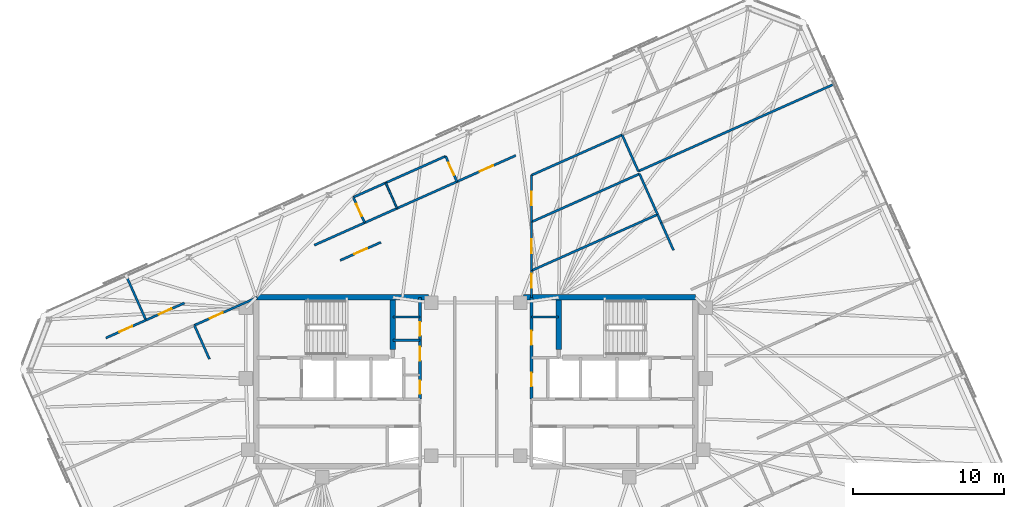
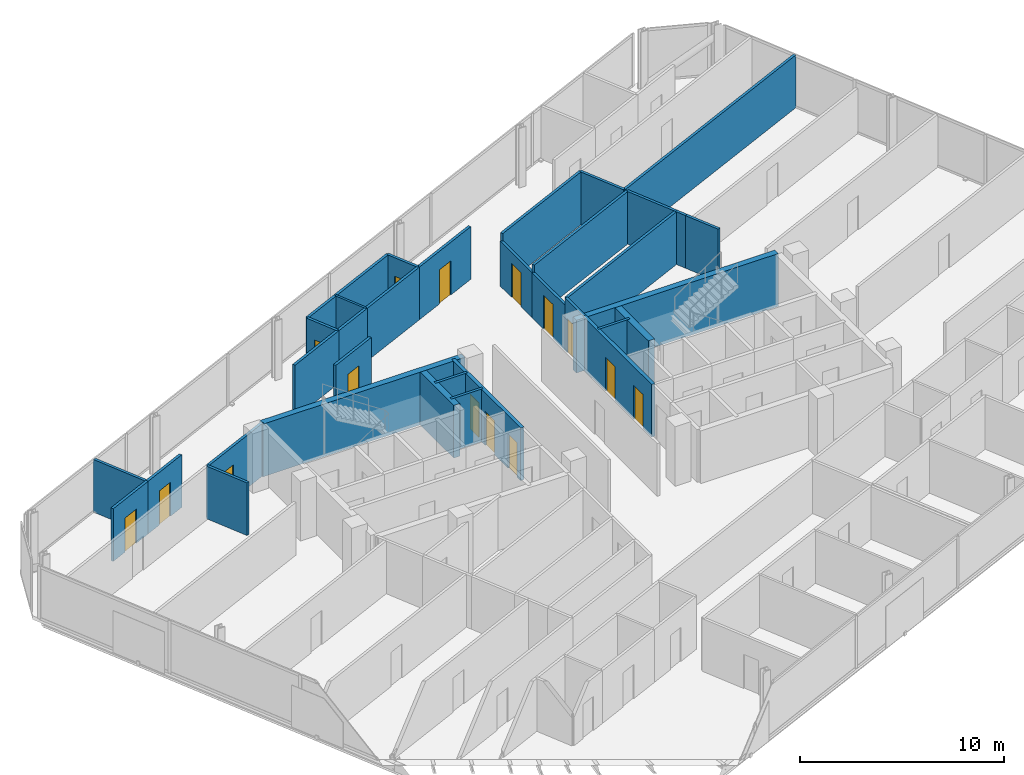
# One storey, part 16 of 19: 35 walls, 15 doors, 15 openings.
"""IFC4 building model written with IfcOpenShell, lengths in metres."""

from ifc_helpers import new_model, si_unit, direction, frame, frame_2d, origin, place, context, subcontext, project, spatial, rectangle, extrude, material, layer, layer_set, type_object, element, fill, save


model = new_model("IFC4")

# Units and contexts
model_context = context("Model", 3, precision=1e-05, world=origin(), true_north=direction((0.0, 1.0)))
body_context = subcontext(model_context, "Body", "Model", "MODEL_VIEW")
ifc_project = project(units=[si_unit("LENGTHUNIT", "METRE"), si_unit("AREAUNIT", "SQUARE_METRE"), si_unit("VOLUMEUNIT", "CUBIC_METRE"), si_unit("PLANEANGLEUNIT", "RADIAN"), si_unit("MASSUNIT", "GRAM", prefix="KILO")], contexts=[model_context])

# Site, building, storey
site_placement = place(None, origin())
site = spatial("IfcSite", under=ifc_project, at=site_placement, CompositionType="ELEMENT")
building_placement = place(site_placement, origin())
building = spatial("IfcBuilding", under=site, at=building_placement, Name="Menara Jurai Vektor", CompositionType="ELEMENT")
storey_placement = place(building_placement, frame((0.0, 0.0, 302.0)))
storey = spatial("IfcBuildingStorey", under=building, at=storey_placement, Name="L81", CompositionType="ELEMENT", Elevation=302.0)

# Walls
ifc_material_1 = material(Name="Gypsum Fireboard Partition", Category="gypsum")
ifc_layer_1 = layer(ifc_material_1, 0.14990234375)
ifc_layer_set_1 = layer_set([ifc_layer_1], Name="Gypsum Fireboard Partition")
wall_type_1 = type_object("IfcWallType", Name="INT-WALL-CORR-150", PredefinedType="PARTITIONING", material=ifc_layer_set_1)
for number, where, z_axis, x_axis, name in (
    (1, (-5.5, 4.300048828125, 0.0), (0.0, 0.0, 1.0), (1.0, 0.0, 0.0), "Interior Wall IW-150 L81"),
    (2, (-5.5, 2.75, 0.0), (0.0, 0.0, 1.0), (1.0, 0.0, 0.0), "Interior Wall IW-150 L81"),
    (3, (3.699951171875, 4.300048828125, 0.0), (0.0, 0.0, 1.0), (1.0, 0.0, 0.0), "Interior Wall IW-150 L81"),
):
    element("IfcWall", number, at=place(storey_placement, frame(where, z_axis=z_axis, x_axis=x_axis)), inside=storey, type_object=wall_type_1, Name=name, PredefinedType="PARTITIONING", context=body_context, shape_type="SweptSolid", body=[
        extrude(rectangle(XDim=1.800048828125, YDim=0.14990234375, at=frame_2d((0.89990234375, 0.0))), origin(), (0.0, 0.0, 1.0), 3.14501953125),
    ])
wall_1_placement = place(storey_placement, frame((-10.703369140625, 9.0634765625, 0.0), z_axis=(0.0, 0.0, 1.0), x_axis=(0.913543802, 0.40674036169, 0.0)))
element("IfcWall", 4, at=wall_1_placement, inside=storey, type_object=wall_type_1, Name="Interior Wall IW-150 L81", PredefinedType="PARTITIONING", context=body_context, shape_type="SweptSolid", body=[
    extrude(rectangle(XDim=3.650146484375, YDim=0.14990234375, at=frame_2d((1.8251953125, 0.0))), origin(), (0.0, 0.0, 1.0), 3.14501953125),
])

# Wall, opening, door
wall_2_placement = place(storey_placement, frame((-1.248291015625, 13.273193359375, 0.0), z_axis=(0.0, 0.0, 1.0), x_axis=(0.913549402293, 0.40672778313, 0.0)))
wall_2 = element("IfcWall", 5, at=wall_2_placement, inside=storey, type_object=wall_type_1, Name="Interior Wall IW-150 L81", PredefinedType="PARTITIONING", context=body_context, shape_type="SweptSolid", body=[
    extrude(rectangle(XDim=4.26611328125, YDim=0.14990234375, at=frame_2d((2.133056640625, 0.0))), origin(), (0.0, 0.0, 1.0), 3.14501953125),
])
opening_1_placement = place(wall_2_placement, frame((1.657958984375, 0.0, 0.0)))
opening_1 = element("IfcOpeningElement", 6, at=opening_1_placement, cuts=wall_2, Name="Opening D81-10", PredefinedType="OPENING", context=body_context, shape_type="SweptSolid", body=[
    extrude(rectangle(XDim=0.949951171875, YDim=2.0400390625, at=frame_2d((0.47509765625, 1.02001953125))), frame((0.0, 0.0849609375, 0.0), z_axis=(0.0, -1.0, 0.0), x_axis=(1.0, 0.0, 0.0)), (0.0, 0.0, 1.0), 0.169921875),
])
ifc_material_2 = material(Name="Solid Core Timber Fire Door", Category="wood")
door_type_1 = type_object("IfcDoorType", Name="DR-ENTRY-950", OperationType="NOTDEFINED", PredefinedType="DOOR", material=ifc_material_2)
door_1_placement = place(opening_1_placement, origin())
door_1 = element("IfcDoor", 7, at=door_1_placement, inside=storey, type_object=door_type_1, Name="Interior Door D81-10", OperationType="SINGLE_SWING_RIGHT", OverallHeight=2.0400390625, OverallWidth=0.949951171875, PredefinedType="DOOR", context=body_context, shape_type="SweptSolid", body=[
    extrude(rectangle(XDim=0.949951171875, YDim=2.0400390625, at=frame_2d((0.47509765625, 1.02001953125))), frame((0.0, 0.02490234375, 0.0), z_axis=(0.0, -1.0, 0.0), x_axis=(1.0, 0.0, 0.0)), (0.0, 0.0, 1.0), 0.050048828125),
])
fill(opening_1, door_1)

# Walls
wall_3_placement = place(storey_placement, frame((-7.368896484375, 10.548095703125, 0.0), z_axis=(0.0, 0.0, 1.0), x_axis=(0.913541436194, 0.406745675276, 0.0)))
element("IfcWall", 8, at=wall_3_placement, inside=storey, type_object=wall_type_1, Name="Interior Wall IW-150 L81", PredefinedType="PARTITIONING", context=body_context, shape_type="SweptSolid", body=[
    extrude(rectangle(XDim=2.349853515625, YDim=0.14990234375, at=frame_2d((1.1748046875, 0.0))), origin(), (0.0, 0.0, 1.0), 3.14501953125),
])
wall_4_placement = place(storey_placement, frame((-5.22216796875, 11.50390625, 0.0), z_axis=(0.0, 0.0, 1.0), x_axis=(0.913545193015, 0.406737237438, 0.0)))
element("IfcWall", 9, at=wall_4_placement, inside=storey, type_object=wall_type_1, Name="Interior Wall IW-150 L81", PredefinedType="PARTITIONING", context=body_context, shape_type="SweptSolid", body=[
    extrude(rectangle(XDim=4.349853515625, YDim=0.14990234375, at=frame_2d((2.1748046875, 0.0))), origin(), (0.0, 0.0, 1.0), 3.14501953125),
])

# Wall, opening, door
wall_5_placement = place(storey_placement, frame((-24.531005859375, 2.906982421875, 0.0), z_axis=(0.0, 0.0, 1.0), x_axis=(0.913531130744, 0.406768820292, 0.0)))
wall_5 = element("IfcWall", 10, at=wall_5_placement, inside=storey, type_object=wall_type_1, Name="Interior Wall IW-150 L81", PredefinedType="PARTITIONING", context=body_context, shape_type="SweptSolid", body=[
    extrude(rectangle(XDim=2.910400390625, YDim=0.14990234375, at=frame_2d((1.455078125, 0.0))), origin(), (0.0, 0.0, 1.0), 3.14501953125),
])
opening_2_placement = place(wall_5_placement, frame((0.9951171875, 0.0, 0.0)))
opening_2 = element("IfcOpeningElement", 11, at=opening_2_placement, cuts=wall_5, Name="Opening D81-31", PredefinedType="OPENING", context=body_context, shape_type="SweptSolid", body=[
    extrude(rectangle(XDim=0.919921875, YDim=2.0400390625, at=frame_2d((0.4599609375, 1.02001953125))), frame((0.0, 0.0849609375, 0.0), z_axis=(0.0, -1.0, 0.0), x_axis=(1.0, 0.0, 0.0)), (0.0, 0.0, 1.0), 0.169921875),
])
door_2_placement = place(opening_2_placement, origin())
door_2 = element("IfcDoor", 12, at=door_2_placement, inside=storey, type_object=door_type_1, Name="Interior Door D81-31", OperationType="SINGLE_SWING_LEFT", OverallHeight=2.0400390625, OverallWidth=0.919921875, PredefinedType="DOOR", context=body_context, shape_type="SweptSolid", body=[
    extrude(rectangle(XDim=0.919921875, YDim=2.0400390625, at=frame_2d((0.4599609375, 1.02001953125))), frame((0.0, 0.02490234375, 0.0), z_axis=(0.0, -1.0, 0.0), x_axis=(1.0, 0.0, 0.0)), (0.0, 0.0, 1.0), 0.050048828125),
])
fill(opening_2, door_2)

wall_6_placement = place(storey_placement, frame((-21.872314453125, 4.0908203125, 0.0), z_axis=(0.0, 0.0, 1.0), x_axis=(0.913559116966, 0.406705962346, 0.0)))
wall_6 = element("IfcWall", 13, at=wall_6_placement, inside=storey, type_object=wall_type_1, Name="Interior Wall IW-150 L81", PredefinedType="PARTITIONING", context=body_context, shape_type="SweptSolid", body=[
    extrude(rectangle(XDim=2.793701171875, YDim=0.14990234375, at=frame_2d((1.39697265625, 0.0))), origin(), (0.0, 0.0, 1.0), 3.14501953125),
])
opening_3_placement = place(wall_6_placement, frame((0.93701171875, 0.0, 0.0)))
opening_3 = element("IfcOpeningElement", 14, at=opening_3_placement, cuts=wall_6, Name="Opening D81-32", PredefinedType="OPENING", context=body_context, shape_type="SweptSolid", body=[
    extrude(rectangle(XDim=0.919921875, YDim=2.0400390625, at=frame_2d((0.4599609375, 1.02001953125))), frame((0.0, 0.0849609375, 0.0), z_axis=(0.0, -1.0, 0.0), x_axis=(1.0, 0.0, 0.0)), (0.0, 0.0, 1.0), 0.169921875),
])
door_3_placement = place(opening_3_placement, origin())
door_3 = element("IfcDoor", 15, at=door_3_placement, inside=storey, type_object=door_type_1, Name="Interior Door D81-32", OperationType="SINGLE_SWING_RIGHT", OverallHeight=2.0400390625, OverallWidth=0.919921875, PredefinedType="DOOR", context=body_context, shape_type="SweptSolid", body=[
    extrude(rectangle(XDim=0.919921875, YDim=2.0400390625, at=frame_2d((0.4599609375, 1.02001953125))), frame((0.0, 0.02490234375, 0.0), z_axis=(0.0, -1.0, 0.0), x_axis=(1.0, 0.0, 0.0)), (0.0, 0.0, 1.0), 0.050048828125),
])
fill(opening_3, door_3)

wall_7_placement = place(storey_placement, frame((3.7001953125, 5.6005859375, 0.0), z_axis=(0.0, 0.0, 1.0), x_axis=(0.0, 1.0, 0.0)))
wall_7 = element("IfcWall", 16, at=wall_7_placement, inside=storey, type_object=wall_type_1, Name="Interior Wall IW-150 L81", PredefinedType="PARTITIONING", context=body_context, shape_type="SweptSolid", body=[
    extrude(rectangle(XDim=1.775390625, YDim=0.14990234375, at=frame_2d((0.8876953125, 0.0))), origin(), (0.0, 0.0, 1.0), 3.14501953125),
])
opening_4_placement = place(wall_7_placement, frame((0.635498046875, 0.0, 0.0)))
opening_4 = element("IfcOpeningElement", 17, at=opening_4_placement, cuts=wall_7, Name="Opening D81-38", PredefinedType="OPENING", context=body_context, shape_type="SweptSolid", body=[
    extrude(rectangle(XDim=0.919921875, YDim=2.0400390625, at=frame_2d((0.4599609375, 1.02001953125))), frame((0.0, 0.0849609375, 0.0), z_axis=(0.0, -1.0, 0.0), x_axis=(1.0, 0.0, 0.0)), (0.0, 0.0, 1.0), 0.169921875),
])
door_4_placement = place(opening_4_placement, origin())
door_4 = element("IfcDoor", 18, at=door_4_placement, inside=storey, type_object=door_type_1, Name="Interior Door D81-38", OperationType="SINGLE_SWING_RIGHT", OverallHeight=2.0400390625, OverallWidth=0.919921875, PredefinedType="DOOR", context=body_context, shape_type="SweptSolid", body=[
    extrude(rectangle(XDim=0.919921875, YDim=2.0400390625, at=frame_2d((0.4599609375, 1.02001953125))), frame((0.0, 0.02490234375, 0.0), z_axis=(0.0, -1.0, 0.0), x_axis=(1.0, 0.0, 0.0)), (0.0, 0.0, 1.0), 0.050048828125),
])
fill(opening_4, door_4)

# Wall
wall_8_placement = place(storey_placement, frame((3.69970703125, 13.702880859375, 0.0), z_axis=(0.0, 0.0, 1.0), x_axis=(0.913549363376, 0.406727870542, 0.0)))
element("IfcWall", 19, at=wall_8_placement, inside=storey, type_object=wall_type_1, Name="Interior Wall IW-150 L81", PredefinedType="PARTITIONING", context=body_context, shape_type="SweptSolid", body=[
    extrude(rectangle(XDim=6.571044921875, YDim=0.14990234375, at=frame_2d((3.28564453125, 0.0))), origin(), (0.0, 0.0, 1.0), 3.14501953125),
])

# Wall, opening, door
wall_9_placement = place(storey_placement, frame((-18.6611328125, 3.7470703125, 0.0), z_axis=(0.0, 0.0, 1.0), x_axis=(0.913535055583, 0.40676000568, 0.0)))
wall_9 = element("IfcWall", 20, at=wall_9_placement, inside=storey, type_object=wall_type_1, Name="Interior Wall IW-150 L81", PredefinedType="PARTITIONING", context=body_context, shape_type="SweptSolid", body=[
    extrude(rectangle(XDim=4.554931640625, YDim=0.14990234375, at=frame_2d((2.27734375, 0.0))), origin(), (0.0, 0.0, 1.0), 3.14501953125),
])
opening_5_placement = place(wall_9_placement, frame((1.13427734375, 0.0, 0.0)))
opening_5 = element("IfcOpeningElement", 21, at=opening_5_placement, cuts=wall_9, Name="Opening D81-41", PredefinedType="OPENING", context=body_context, shape_type="SweptSolid", body=[
    extrude(rectangle(XDim=0.919921875, YDim=2.0400390625, at=frame_2d((0.4599609375, 1.02001953125))), frame((0.0, 0.0849609375, 0.0), z_axis=(0.0, -1.0, 0.0), x_axis=(1.0, 0.0, 0.0)), (0.0, 0.0, 1.0), 0.169921875),
])
door_5_placement = place(opening_5_placement, origin())
door_5 = element("IfcDoor", 22, at=door_5_placement, inside=storey, type_object=door_type_1, Name="Interior Door D81-41", OperationType="SINGLE_SWING_LEFT", OverallHeight=2.0400390625, OverallWidth=0.919921875, PredefinedType="DOOR", context=body_context, shape_type="SweptSolid", body=[
    extrude(rectangle(XDim=0.919921875, YDim=2.0400390625, at=frame_2d((0.4599609375, 1.02001953125))), frame((0.0, 0.02490234375, 0.0), z_axis=(0.0, -1.0, 0.0), x_axis=(1.0, 0.0, 0.0)), (0.0, 0.0, 1.0), 0.050048828125),
])
fill(opening_5, door_5)

wall_10_placement = place(storey_placement, frame((-8.9921875, 8.052001953125, 0.0), z_axis=(0.0, 0.0, 1.0), x_axis=(0.913535467925, 0.406759079607, 0.0)))
wall_10 = element("IfcWall", 23, at=wall_10_placement, inside=storey, type_object=wall_type_1, Name="Interior Wall IW-150 L81", PredefinedType="PARTITIONING", context=body_context, shape_type="SweptSolid", body=[
    extrude(rectangle(XDim=2.9560546875, YDim=0.14990234375, at=frame_2d((1.47802734375, 0.0))), origin(), (0.0, 0.0, 1.0), 3.14501953125),
])
opening_6_placement = place(wall_10_placement, frame((1.01806640625, 0.0, 0.0)))
opening_6 = element("IfcOpeningElement", 24, at=opening_6_placement, cuts=wall_10, Name="Opening D81-42", PredefinedType="OPENING", context=body_context, shape_type="SweptSolid", body=[
    extrude(rectangle(XDim=0.919921875, YDim=2.0400390625, at=frame_2d((0.4599609375, 1.02001953125))), frame((0.0, 0.0849609375, 0.0), z_axis=(0.0, -1.0, 0.0), x_axis=(1.0, 0.0, 0.0)), (0.0, 0.0, 1.0), 0.169921875),
])
door_6_placement = place(opening_6_placement, origin())
door_6 = element("IfcDoor", 25, at=door_6_placement, inside=storey, type_object=door_type_1, Name="Interior Door D81-42", OperationType="SINGLE_SWING_RIGHT", OverallHeight=2.0400390625, OverallWidth=0.919921875, PredefinedType="DOOR", context=body_context, shape_type="SweptSolid", body=[
    extrude(rectangle(XDim=0.919921875, YDim=2.0400390625, at=frame_2d((0.4599609375, 1.02001953125))), frame((0.0, 0.02490234375, 0.0), z_axis=(0.0, -1.0, 0.0), x_axis=(1.0, 0.0, 0.0)), (0.0, 0.0, 1.0), 0.050048828125),
])
fill(opening_6, door_6)

wall_11_placement = place(storey_placement, frame((-7.368896484375, 10.548095703125, 0.0), z_axis=(0.0, 0.0, 1.0), x_axis=(-0.406860767979, 0.913490183571, 0.0)))
wall_11 = element("IfcWall", 26, at=wall_11_placement, inside=storey, type_object=wall_type_1, Name="Interior Wall IW-150 L81", PredefinedType="PARTITIONING", context=body_context, shape_type="SweptSolid", body=[
    extrude(rectangle(XDim=1.85009765625, YDim=0.14990234375, at=frame_2d((0.925048828125, 0.0))), origin(), (0.0, 0.0, 1.0), 3.14501953125),
])
opening_7_placement = place(wall_11_placement, frame((0.485107421875, 0.0, 0.0)))
opening_7 = element("IfcOpeningElement", 27, at=opening_7_placement, cuts=wall_11, Name="Opening D81-11", PredefinedType="OPENING", context=body_context, shape_type="SweptSolid", body=[
    extrude(rectangle(XDim=0.8798828125, YDim=2.0400390625, at=frame_2d((0.43994140625, 1.02001953125))), frame((0.0, 0.0849609375, 0.0), z_axis=(0.0, -1.0, 0.0), x_axis=(1.0, 0.0, 0.0)), (0.0, 0.0, 1.0), 0.169921875),
])
ifc_material_3 = material(Name="Moisture-Resistant Timber Door", Category="wood")
door_type_2 = type_object("IfcDoorType", Name="DR-BATH-880", OperationType="NOTDEFINED", PredefinedType="DOOR", material=ifc_material_3)
door_7_placement = place(opening_7_placement, origin())
door_7 = element("IfcDoor", 28, at=door_7_placement, inside=storey, type_object=door_type_2, Name="Interior Door D81-11", OperationType="SINGLE_SWING_LEFT", OverallHeight=2.0400390625, OverallWidth=0.8798828125, PredefinedType="DOOR", context=body_context, shape_type="SweptSolid", body=[
    extrude(rectangle(XDim=0.8798828125, YDim=2.0400390625, at=frame_2d((0.43994140625, 1.02001953125))), frame((0.0, 0.02490234375, 0.0), z_axis=(0.0, -1.0, 0.0), x_axis=(1.0, 0.0, 0.0)), (0.0, 0.0, 1.0), 0.050048828125),
])
fill(opening_7, door_7)

# Walls
wall_12_placement = place(storey_placement, frame((-8.12158203125, 12.238037109375, 0.0), z_axis=(0.0, 0.0, 1.0), x_axis=(0.913558622212, 0.406707073682, 0.0)))
element("IfcWall", 29, at=wall_12_placement, inside=storey, type_object=wall_type_1, Name="Interior Wall IW-150 L81", PredefinedType="PARTITIONING", context=body_context, shape_type="SweptSolid", body=[
    extrude(rectangle(XDim=2.35009765625, YDim=0.14990234375, at=frame_2d((1.175048828125, 0.0))), origin(), (0.0, 0.0, 1.0), 3.14501953125),
])
wall_13_placement = place(storey_placement, frame((-5.974609375, 13.19384765625, 0.0), z_axis=(0.0, 0.0, 1.0), x_axis=(0.913545193015, 0.406737237438, 0.0)))
element("IfcWall", 30, at=wall_13_placement, inside=storey, type_object=wall_type_1, Name="Interior Wall IW-150 L81", PredefinedType="PARTITIONING", context=body_context, shape_type="SweptSolid", body=[
    extrude(rectangle(XDim=4.349853515625, YDim=0.14990234375, at=frame_2d((2.1748046875, 0.0))), origin(), (0.0, 0.0, 1.0), 3.14501953125),
])

# Wall, opening, door
wall_14_placement = place(storey_placement, frame((-1.248291015625, 13.273193359375, 0.0), z_axis=(0.0, 0.0, 1.0), x_axis=(-0.406750635596, 0.913539227643, 0.0)))
wall_14 = element("IfcWall", 31, at=wall_14_placement, inside=storey, type_object=wall_type_1, Name="Interior Wall IW-150 L81", PredefinedType="PARTITIONING", context=body_context, shape_type="SweptSolid", body=[
    extrude(rectangle(XDim=1.849853515625, YDim=0.14990234375, at=frame_2d((0.9248046875, 0.0))), origin(), (0.0, 0.0, 1.0), 3.14501953125),
])
opening_8_placement = place(wall_14_placement, frame((0.47509765625, 0.0, 0.0)))
opening_8 = element("IfcOpeningElement", 32, at=opening_8_placement, cuts=wall_14, Name="Opening D81-12", PredefinedType="OPENING", context=body_context, shape_type="SweptSolid", body=[
    extrude(rectangle(XDim=0.89990234375, YDim=2.0400390625, at=frame_2d((0.449951171875, 1.02001953125))), frame((0.0, 0.0849609375, 0.0), z_axis=(0.0, -1.0, 0.0), x_axis=(1.0, 0.0, 0.0)), (0.0, 0.0, 1.0), 0.169921875),
])
ifc_material_4 = material(Name="Acoustic Timber Interior Door", Category="wood")
door_type_3 = type_object("IfcDoorType", Name="DR-ROOM-900", OperationType="NOTDEFINED", PredefinedType="DOOR", material=ifc_material_4)
door_8_placement = place(opening_8_placement, origin())
door_8 = element("IfcDoor", 33, at=door_8_placement, inside=storey, type_object=door_type_3, Name="Interior Door D81-12", OperationType="SINGLE_SWING_RIGHT", OverallHeight=2.0400390625, OverallWidth=0.89990234375, PredefinedType="DOOR", context=body_context, shape_type="SweptSolid", body=[
    extrude(rectangle(XDim=0.89990234375, YDim=2.0400390625, at=frame_2d((0.449951171875, 1.02001953125))), frame((0.0, 0.02490234375, 0.0), z_axis=(0.0, -1.0, 0.0), x_axis=(1.0, 0.0, 0.0)), (0.0, 0.0, 1.0), 0.050048828125),
])
fill(opening_8, door_8)

# Walls
wall_15_placement = place(storey_placement, frame((-17.66259765625, 1.50439453125, 0.0), z_axis=(0.0, 0.0, 1.0), x_axis=(-0.406747374275, 0.913540679729, 0.0)))
element("IfcWall", 34, at=wall_15_placement, inside=storey, type_object=wall_type_1, Name="Interior Wall IW-150 L81", PredefinedType="PARTITIONING", context=body_context, shape_type="SweptSolid", body=[
    extrude(rectangle(XDim=2.454833984375, YDim=0.14990234375, at=frame_2d((1.2275390625, 0.0))), origin(), (0.0, 0.0, 1.0), 3.14501953125),
])
wall_16_placement = place(storey_placement, frame((-21.872314453125, 4.0908203125, 0.0), z_axis=(0.0, 0.0, 1.0), x_axis=(-0.406761717745, 0.913534293268, 0.0)))
element("IfcWall", 35, at=wall_16_placement, inside=storey, type_object=wall_type_1, Name="Interior Wall IW-150 L81", PredefinedType="PARTITIONING", context=body_context, shape_type="SweptSolid", body=[
    extrude(rectangle(XDim=3.197998046875, YDim=0.14990234375, at=frame_2d((1.59912109375, 0.0))), origin(), (0.0, 0.0, 1.0), 3.14501953125),
])
wall_17_placement = place(storey_placement, frame((3.7001953125, 7.3759765625, 0.0), z_axis=(0.0, 0.0, 1.0), x_axis=(0.91354490899, 0.406737875367, 0.0)))
element("IfcWall", 36, at=wall_17_placement, inside=storey, type_object=wall_type_1, Name="Interior Wall IW-150 L81", PredefinedType="PARTITIONING", context=body_context, shape_type="SweptSolid", body=[
    extrude(rectangle(XDim=9.14404296875, YDim=0.14990234375, at=frame_2d((4.572021484375, 0.0))), origin(), (0.0, 0.0, 1.0), 3.14501953125),
])
wall_18_placement = place(storey_placement, frame((13.108642578125, 8.7255859375, 0.0), z_axis=(0.0, 0.0, 1.0), x_axis=(-0.406788519224, 0.913522359128, 0.0)))
element("IfcWall", 37, at=wall_18_placement, inside=storey, type_object=wall_type_1, Name="Interior Wall IW-150 L81", PredefinedType="PARTITIONING", context=body_context, shape_type="SweptSolid", body=[
    extrude(rectangle(XDim=1.98583984375, YDim=0.14990234375, at=frame_2d((0.992919921875, 0.0))), origin(), (0.0, 0.0, 1.0), 3.14501953125),
])
wall_19_placement = place(storey_placement, frame((12.30078125, 10.539794921875, 0.0), z_axis=(0.0, 0.0, 1.0), x_axis=(-0.406436552015, 0.913679007741, 0.0)))
element("IfcWall", 38, at=wall_19_placement, inside=storey, type_object=wall_type_1, Name="Interior Wall IW-150 L81", PredefinedType="PARTITIONING", context=body_context, shape_type="SweptSolid", body=[
    extrude(rectangle(XDim=0.60791015625, YDim=0.14990234375, at=frame_2d((0.303955078125, 0.0))), origin(), (0.0, 0.0, 1.0), 3.14501953125),
])
wall_20_placement = place(storey_placement, frame((3.7001953125, 10.60400390625, 0.0), z_axis=(0.0, 0.0, 1.0), x_axis=(0.913534926439, 0.406760295722, 0.0)))
element("IfcWall", 39, at=wall_20_placement, inside=storey, type_object=wall_type_1, Name="Interior Wall IW-150 L81", PredefinedType="PARTITIONING", context=body_context, shape_type="SweptSolid", body=[
    extrude(rectangle(XDim=7.830810546875, YDim=0.14990234375, at=frame_2d((3.91552734375, 0.0))), origin(), (0.0, 0.0, 1.0), 3.14501953125),
])
wall_21_placement = place(storey_placement, frame((12.0537109375, 11.09521484375, 0.0), z_axis=(0.0, 0.0, 1.0), x_axis=(-0.406798922371, 0.91351772657, 0.0)))
element("IfcWall", 40, at=wall_21_placement, inside=storey, type_object=wall_type_1, Name="Interior Wall IW-150 L81", PredefinedType="PARTITIONING", context=body_context, shape_type="SweptSolid", body=[
    extrude(rectangle(XDim=2.94921875, YDim=0.14990234375, at=frame_2d((1.474609375, 0.0))), origin(), (0.0, 0.0, 1.0), 3.14501953125),
])
wall_22_placement = place(storey_placement, frame((10.777587890625, 13.9609375, 0.0), z_axis=(0.0, 0.0, 1.0), x_axis=(-0.406712614091, 0.913556155657, 0.0)))
element("IfcWall", 41, at=wall_22_placement, inside=storey, type_object=wall_type_1, Name="Interior Wall IW-150 L81", PredefinedType="PARTITIONING", context=body_context, shape_type="SweptSolid", body=[
    extrude(rectangle(XDim=2.64306640625, YDim=0.14990234375, at=frame_2d((1.321533203125, 0.0))), origin(), (0.0, 0.0, 1.0), 3.14501953125),
])
wall_23_placement = place(storey_placement, frame((10.777587890625, 13.9609375, 0.0), z_axis=(0.0, 0.0, 1.0), x_axis=(0.913544622417, 0.406738519018, 0.0)))
element("IfcWall", 42, at=wall_23_placement, inside=storey, type_object=wall_type_1, Name="Interior Wall IW-150 L81", PredefinedType="PARTITIONING", context=body_context, shape_type="SweptSolid", body=[
    extrude(rectangle(XDim=14.192138671875, YDim=0.14990234375, at=frame_2d((7.09619140625, 0.0))), origin(), (0.0, 0.0, 1.0), 3.14501953125),
])

# Wall, opening, door
ifc_layer_2 = layer(ifc_material_1, 0.14990234375)
ifc_layer_set_2 = layer_set([ifc_layer_2], Name="Gypsum Fireboard Partition")
wall_type_2 = type_object("IfcWallType", Name="INT-WALL-CORR-150-H1", PredefinedType="PARTITIONING", material=ifc_layer_set_2)
wall_24_placement = place(storey_placement, frame((3.7001953125, 7.3759765625, 0.0), z_axis=(0.0, 0.0, 1.0), x_axis=(0.0, 1.0, 0.0)))
wall_24 = element("IfcWall", 43, at=wall_24_placement, inside=storey, type_object=wall_type_2, Name="Interior Wall IW-150 L81", PredefinedType="PARTITIONING", context=body_context, shape_type="SweptSolid", body=[
    extrude(rectangle(XDim=3.22802734375, YDim=0.14990234375, at=frame_2d((1.614013671875, 0.0))), origin(), (0.0, 0.0, 1.0), 2.695068359375),
])
opening_9_placement = place(wall_24_placement, frame((1.154052734375, 0.0, 0.0)))
opening_9 = element("IfcOpeningElement", 44, at=opening_9_placement, cuts=wall_24, Name="Opening D81-39", PredefinedType="OPENING", context=body_context, shape_type="SweptSolid", body=[
    extrude(rectangle(XDim=0.919921875, YDim=2.0400390625, at=frame_2d((0.4599609375, 1.02001953125))), frame((0.0, 0.0849609375, 0.0), z_axis=(0.0, -1.0, 0.0), x_axis=(1.0, 0.0, 0.0)), (0.0, 0.0, 1.0), 0.169921875),
])
door_9_placement = place(opening_9_placement, origin())
door_9 = element("IfcDoor", 45, at=door_9_placement, inside=storey, type_object=door_type_1, Name="Interior Door D81-39", OperationType="SINGLE_SWING_LEFT", OverallHeight=2.0400390625, OverallWidth=0.919921875, PredefinedType="DOOR", context=body_context, shape_type="SweptSolid", body=[
    extrude(rectangle(XDim=0.919921875, YDim=2.0400390625, at=frame_2d((0.4599609375, 1.02001953125))), frame((0.0, 0.02490234375, 0.0), z_axis=(0.0, -1.0, 0.0), x_axis=(1.0, 0.0, 0.0)), (0.0, 0.0, 1.0), 0.050048828125),
])
fill(opening_9, door_9)

wall_25_placement = place(storey_placement, frame((3.7001953125, 10.60400390625, 0.0), z_axis=(0.0, 0.0, 1.0), x_axis=(-0.000157567161, 0.999999987586, 0.0)))
wall_25 = element("IfcWall", 46, at=wall_25_placement, inside=storey, type_object=wall_type_2, Name="Interior Wall IW-150 L81", PredefinedType="PARTITIONING", context=body_context, shape_type="SweptSolid", body=[
    extrude(rectangle(XDim=3.098876953125, YDim=0.14990234375, at=frame_2d((1.54931640625, 0.0))), origin(), (0.0, 0.0, 1.0), 2.695068359375),
])
opening_10_placement = place(wall_25_placement, frame((1.08935546875, 0.0, 0.0)))
opening_10 = element("IfcOpeningElement", 47, at=opening_10_placement, cuts=wall_25, Name="Opening D81-40", PredefinedType="OPENING", context=body_context, shape_type="SweptSolid", body=[
    extrude(rectangle(XDim=0.919921875, YDim=2.0400390625, at=frame_2d((0.4599609375, 1.02001953125))), frame((0.0, 0.0849609375, 0.0), z_axis=(0.0, -1.0, 0.0), x_axis=(1.0, 0.0, 0.0)), (0.0, 0.0, 1.0), 0.169921875),
])
door_10_placement = place(opening_10_placement, origin())
door_10 = element("IfcDoor", 48, at=door_10_placement, inside=storey, type_object=door_type_1, Name="Interior Door D81-40", OperationType="SINGLE_SWING_RIGHT", OverallHeight=2.0400390625, OverallWidth=0.919921875, PredefinedType="DOOR", context=body_context, shape_type="SweptSolid", body=[
    extrude(rectangle(XDim=0.919921875, YDim=2.0400390625, at=frame_2d((0.4599609375, 1.02001953125))), frame((0.0, 0.02490234375, 0.0), z_axis=(0.0, -1.0, 0.0), x_axis=(1.0, 0.0, 0.0)), (0.0, 0.0, 1.0), 0.050048828125),
])
fill(opening_10, door_10)

# Wall
ifc_material_5 = material(Name="Gypsum Acoustic Stud Partition", Category="gypsum")
ifc_layer_3 = layer(ifc_material_5, 0.1201171875)
ifc_layer_set_3 = layer_set([ifc_layer_3], Name="Gypsum Acoustic Stud Partition")
wall_type_3 = type_object("IfcWallType", Name="INT-WALL-PART-120", PredefinedType="PARTITIONING", material=ifc_layer_set_3)
wall_26_placement = place(storey_placement, frame((-5.22216796875, 11.50390625, 0.0), z_axis=(0.0, 0.0, 1.0), x_axis=(-0.406750635596, 0.913539227643, 0.0)))
element("IfcWall", 49, at=wall_26_placement, inside=storey, type_object=wall_type_3, Name="Interior Wall IW-120 L81", PredefinedType="PARTITIONING", context=body_context, shape_type="SweptSolid", body=[
    extrude(rectangle(XDim=1.849853515625, YDim=0.1201171875, at=frame_2d((0.9248046875, 0.0))), origin(), (0.0, 0.0, 1.0), 3.14501953125),
])

# Wall, openings, doors
ifc_material_6 = material(Name="Concrete C40/50", Category="concrete")
ifc_layer_4 = layer(ifc_material_6, 0.199951171875)
ifc_layer_set_4 = layer_set([ifc_layer_4], Name="Concrete C40/50")
wall_type_4 = type_object("IfcWallType", Name="INT-WALL-SHAFT-200", PredefinedType="STANDARD", material=ifc_layer_set_4)
wall_27_placement = place(storey_placement, frame((-3.699951171875, -1.14990234375, 0.0), z_axis=(0.0, 0.0, 1.0), x_axis=(0.0, 1.0, 0.0)))
wall_27 = element("IfcWall", 50, at=wall_27_placement, inside=storey, type_object=wall_type_4, Name="Interior Wall IW-200 L81", PredefinedType="STANDARD", context=body_context, shape_type="SweptSolid", body=[
    extrude(rectangle(XDim=6.75, YDim=0.199951171875, at=frame_2d((3.375, 0.0))), origin(), (0.0, 0.0, 1.0), 3.14501953125),
])
opening_11_placement = place(wall_27_placement, frame((0.35009765625, 0.0, 0.0)))
opening_11 = element("IfcOpeningElement", 51, at=opening_11_placement, cuts=wall_27, Name="Opening D81-02", PredefinedType="OPENING", context=body_context, shape_type="SweptSolid", body=[
    extrude(rectangle(XDim=0.8798828125, YDim=2.0400390625, at=frame_2d((0.43994140625, 1.02001953125))), frame((0.0, 0.10986328125, 0.0), z_axis=(0.0, -1.0, 0.0), x_axis=(1.0, 0.0, 0.0)), (0.0, 0.0, 1.0), 0.219970703125),
])
opening_12_placement = place(wall_27_placement, frame((2.550048828125, 0.0, 0.0)))
opening_12 = element("IfcOpeningElement", 52, at=opening_12_placement, cuts=wall_27, Name="Opening D81-03", PredefinedType="OPENING", context=body_context, shape_type="SweptSolid", body=[
    extrude(rectangle(XDim=0.919921875, YDim=2.0400390625, at=frame_2d((0.4599609375, 1.02001953125))), frame((0.0, 0.10986328125, 0.0), z_axis=(0.0, -1.0, 0.0), x_axis=(1.0, 0.0, 0.0)), (0.0, 0.0, 1.0), 0.219970703125),
])
opening_13_placement = place(wall_27_placement, frame((4.219970703125, 0.0, 0.0)))
opening_13 = element("IfcOpeningElement", 53, at=opening_13_placement, cuts=wall_27, Name="Opening D81-04", PredefinedType="OPENING", context=body_context, shape_type="SweptSolid", body=[
    extrude(rectangle(XDim=0.8798828125, YDim=2.0400390625, at=frame_2d((0.43994140625, 1.02001953125))), frame((0.0, 0.10986328125, 0.0), z_axis=(0.0, -1.0, 0.0), x_axis=(1.0, 0.0, 0.0)), (0.0, 0.0, 1.0), 0.219970703125),
])
door_11_placement = place(opening_11_placement, origin())
door_11 = element("IfcDoor", 54, at=door_11_placement, inside=storey, type_object=door_type_1, Name="Interior Door D81-02", OperationType="SINGLE_SWING_LEFT", OverallHeight=2.0400390625, OverallWidth=0.8798828125, PredefinedType="DOOR", context=body_context, shape_type="SweptSolid", body=[
    extrude(rectangle(XDim=0.8798828125, YDim=2.0400390625, at=frame_2d((0.43994140625, 1.02001953125))), frame((0.0, 0.02490234375, 0.0), z_axis=(0.0, -1.0, 0.0), x_axis=(1.0, 0.0, 0.0)), (0.0, 0.0, 1.0), 0.050048828125),
])
fill(opening_11, door_11)
door_12_placement = place(opening_12_placement, origin())
door_12 = element("IfcDoor", 55, at=door_12_placement, inside=storey, type_object=door_type_1, Name="Interior Door D81-03", OperationType="SINGLE_SWING_LEFT", OverallHeight=2.0400390625, OverallWidth=0.919921875, PredefinedType="DOOR", context=body_context, shape_type="SweptSolid", body=[
    extrude(rectangle(XDim=0.919921875, YDim=2.0400390625, at=frame_2d((0.4599609375, 1.02001953125))), frame((0.0, 0.02490234375, 0.0), z_axis=(0.0, -1.0, 0.0), x_axis=(1.0, 0.0, 0.0)), (0.0, 0.0, 1.0), 0.050048828125),
])
fill(opening_12, door_12)
door_13_placement = place(opening_13_placement, origin())
door_13 = element("IfcDoor", 56, at=door_13_placement, inside=storey, type_object=door_type_1, Name="Interior Door D81-04", OperationType="SINGLE_SWING_LEFT", OverallHeight=2.0400390625, OverallWidth=0.8798828125, PredefinedType="DOOR", context=body_context, shape_type="SweptSolid", body=[
    extrude(rectangle(XDim=0.8798828125, YDim=2.0400390625, at=frame_2d((0.43994140625, 1.02001953125))), frame((0.0, 0.02490234375, 0.0), z_axis=(0.0, -1.0, 0.0), x_axis=(1.0, 0.0, 0.0)), (0.0, 0.0, 1.0), 0.050048828125),
])
fill(opening_13, door_13)

wall_28_placement = place(storey_placement, frame((3.699951171875, -1.14990234375, 0.0), z_axis=(0.0, 0.0, 1.0), x_axis=(0.0, 1.0, 0.0)))
wall_28 = element("IfcWall", 57, at=wall_28_placement, inside=storey, type_object=wall_type_4, Name="Interior Wall IW-200 L81", PredefinedType="STANDARD", context=body_context, shape_type="SweptSolid", body=[
    extrude(rectangle(XDim=6.75, YDim=0.199951171875, at=frame_2d((3.375, 0.0))), origin(), (0.0, 0.0, 1.0), 3.14501953125),
])
opening_14_placement = place(wall_28_placement, frame((3.60009765625, 0.0, 0.0)))
opening_14 = element("IfcOpeningElement", 58, at=opening_14_placement, cuts=wall_28, Name="Opening D81-07", PredefinedType="OPENING", context=body_context, shape_type="SweptSolid", body=[
    extrude(rectangle(XDim=0.919921875, YDim=2.0400390625, at=frame_2d((0.4599609375, 1.02001953125))), frame((0.0, 0.10986328125, 0.0), z_axis=(0.0, -1.0, 0.0), x_axis=(1.0, 0.0, 0.0)), (0.0, 0.0, 1.0), 0.219970703125),
])
opening_15_placement = place(wall_28_placement, frame((0.85009765625, 0.0, 0.0)))
opening_15 = element("IfcOpeningElement", 59, at=opening_15_placement, cuts=wall_28, Name="Opening D81-08", PredefinedType="OPENING", context=body_context, shape_type="SweptSolid", body=[
    extrude(rectangle(XDim=0.89990234375, YDim=2.0400390625, at=frame_2d((0.449951171875, 1.02001953125))), frame((0.0, 0.10986328125, 0.0), z_axis=(0.0, -1.0, 0.0), x_axis=(1.0, 0.0, 0.0)), (0.0, 0.0, 1.0), 0.219970703125),
])
door_14_placement = place(opening_14_placement, origin())
door_14 = element("IfcDoor", 60, at=door_14_placement, inside=storey, type_object=door_type_1, Name="Interior Door D81-07", OperationType="SINGLE_SWING_RIGHT", OverallHeight=2.0400390625, OverallWidth=0.919921875, PredefinedType="DOOR", context=body_context, shape_type="SweptSolid", body=[
    extrude(rectangle(XDim=0.919921875, YDim=2.0400390625, at=frame_2d((0.4599609375, 1.02001953125))), frame((0.0, 0.02490234375, 0.0), z_axis=(0.0, -1.0, 0.0), x_axis=(1.0, 0.0, 0.0)), (0.0, 0.0, 1.0), 0.050048828125),
])
fill(opening_14, door_14)
door_15_placement = place(opening_15_placement, origin())
door_15 = element("IfcDoor", 61, at=door_15_placement, inside=storey, type_object=door_type_1, Name="Interior Door D81-08", OperationType="SINGLE_SWING_RIGHT", OverallHeight=2.0400390625, OverallWidth=0.89990234375, PredefinedType="DOOR", context=body_context, shape_type="SweptSolid", body=[
    extrude(rectangle(XDim=0.89990234375, YDim=2.0400390625, at=frame_2d((0.449951171875, 1.02001953125))), frame((0.0, 0.02490234375, 0.0), z_axis=(0.0, -1.0, 0.0), x_axis=(1.0, 0.0, 0.0)), (0.0, 0.0, 1.0), 0.050048828125),
])
fill(opening_15, door_15)

# Walls
ifc_material_7 = material(Name="Concrete C50/60", Category="concrete")
ifc_layer_5 = layer(ifc_material_7, 0.35009765625)
ifc_layer_set_5 = layer_set([ifc_layer_5], Name="Concrete C50/60")
wall_type_5 = type_object("IfcWallType", Name="STR-WALL-CORE350", PredefinedType="SHEAR", material=ifc_layer_set_5)
wall_29_placement = place(storey_placement, frame((-14.56005859375, 5.60009765625, 0.0), z_axis=(0.0, 0.0, 1.0), x_axis=(1.0, 0.0, 0.0)))
element("IfcWall", 62, at=wall_29_placement, inside=storey, type_object=wall_type_5, Name="Core Shear Wall CW-W-N L81", PredefinedType="SHEAR", context=body_context, shape_type="SweptSolid", body=[
    extrude(rectangle(XDim=11.41015625, YDim=0.35009765625, at=frame_2d((5.705078125, 0.0))), origin(), (0.0, 0.0, 1.0), 3.14501953125),
])
wall_30_placement = place(storey_placement, frame((-5.5, 2.14990234375, 0.0), z_axis=(0.0, 0.0, 1.0), x_axis=(0.0, 1.0, 0.0)))
element("IfcWall", 63, at=wall_30_placement, inside=storey, type_object=wall_type_5, Name="Core Shear Wall CW-W-ST L81", PredefinedType="SHEAR", context=body_context, shape_type="SweptSolid", body=[
    extrude(rectangle(XDim=3.275146484375, YDim=0.35009765625, at=frame_2d((1.6376953125, 0.0))), origin(), (0.0, 0.0, 1.0), 3.14501953125),
])
wall_31_placement = place(storey_placement, frame((3.14990234375, 5.60009765625, 0.0), z_axis=(0.0, 0.0, 1.0), x_axis=(1.0, 0.0, 0.0)))
element("IfcWall", 64, at=wall_31_placement, inside=storey, type_object=wall_type_5, Name="Core Shear Wall CW-E-N L81", PredefinedType="SHEAR", context=body_context, shape_type="SweptSolid", body=[
    extrude(rectangle(XDim=11.41015625, YDim=0.35009765625, at=frame_2d((5.705078125, 0.0))), origin(), (0.0, 0.0, 1.0), 3.14501953125),
])
wall_32_placement = place(storey_placement, frame((5.5, 2.14990234375, 0.0), z_axis=(0.0, 0.0, 1.0), x_axis=(0.0, 1.0, 0.0)))
element("IfcWall", 65, at=wall_32_placement, inside=storey, type_object=wall_type_5, Name="Core Shear Wall CW-E-ST L81", PredefinedType="SHEAR", context=body_context, shape_type="SweptSolid", body=[
    extrude(rectangle(XDim=3.275146484375, YDim=0.35009765625, at=frame_2d((1.6376953125, 0.0))), origin(), (0.0, 0.0, 1.0), 3.14501953125),
])

save(model, "model.ifc")
